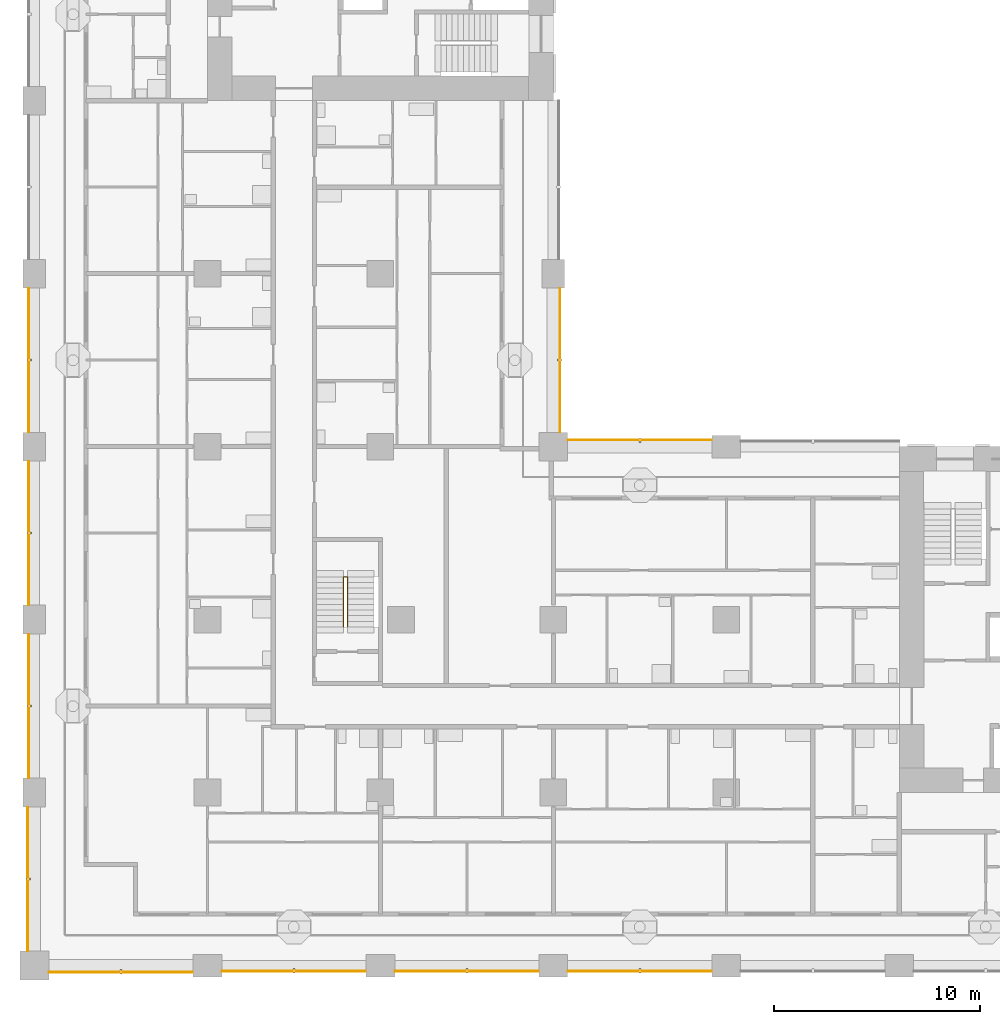
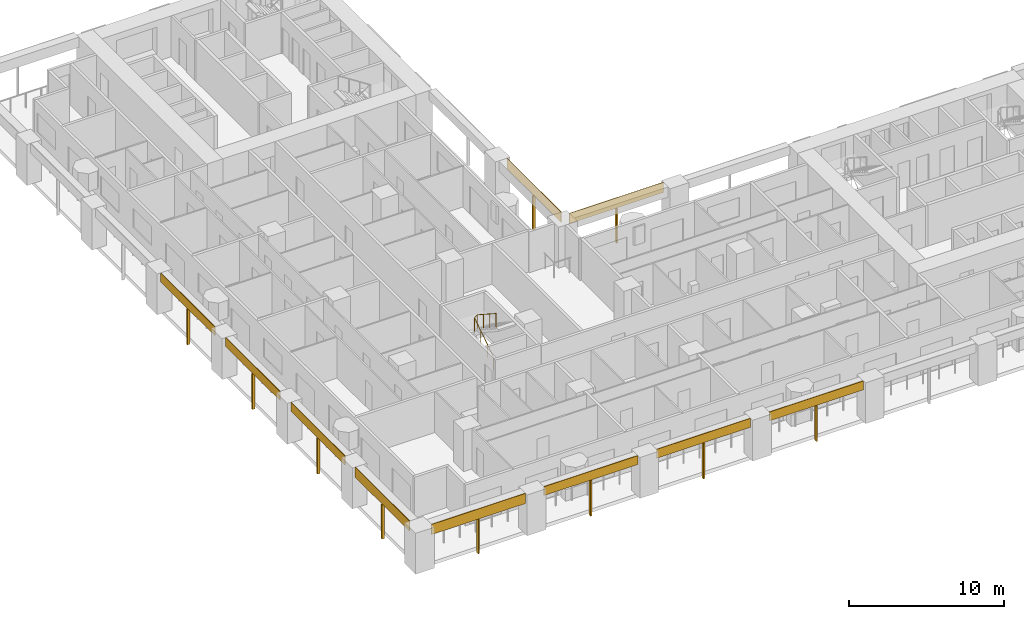
# One storey, part 12 of 22: 20 shading devices, 1 railing.
"""IFC4 building model written with IfcOpenShell, lengths in metres."""

from ifc_helpers import new_model, si_unit, direction, frame, origin, origin_2d, place, context, subcontext, project, spatial, rectangle, circle, extrude, material, layer, layer_set, material_profile, profile_set, type_object, element, save


model = new_model("IFC4")

# Units and contexts
model_context = context("Model", 3, precision=1e-05, world=origin(), true_north=direction((0.0, 1.0)))
body_context = subcontext(model_context, "Body", "Model", "MODEL_VIEW")
ifc_project = project(units=[si_unit("LENGTHUNIT", "METRE"), si_unit("AREAUNIT", "SQUARE_METRE"), si_unit("VOLUMEUNIT", "CUBIC_METRE"), si_unit("PLANEANGLEUNIT", "RADIAN"), si_unit("MASSUNIT", "GRAM", prefix="KILO")], contexts=[model_context])

# Site, building, storey
site_placement = place(None, origin())
site = spatial("IfcSite", under=ifc_project, at=site_placement, CompositionType="ELEMENT")
building_placement = place(site_placement, origin())
building = spatial("IfcBuilding", under=site, at=building_placement, Name="Vermilion Gate Residences", CompositionType="ELEMENT")
storey_placement = place(building_placement, frame((0.0, 0.0, 60.199951171875)))
storey = spatial("IfcBuildingStorey", under=building, at=storey_placement, Name="L14", CompositionType="ELEMENT", Elevation=60.199951171875)

# Shading devices
ifc_material_1 = material(Name="Perforated terracotta", Category="masonry")
ifc_layer = layer(ifc_material_1, 0.0400390625)
ifc_layer_set = layer_set([ifc_layer], Name="PERFORATED TERRACOTTA SCREEN 40")
shading_device_type_1 = type_object("IfcShadingDeviceType", Name="PERFORATED TERRACOTTA SCREEN 40", PredefinedType="SHUTTER", material=ifc_layer_set)
shading_device_1_placement = place(storey_placement, frame((4.199951171875, -0.320068359375, 2.419921875), z_axis=(0.0, 0.0, 1.0), x_axis=(1.0, 0.0, 0.0)))
element("IfcShadingDevice", 1, at=shading_device_1_placement, inside=storey, type_object=shading_device_type_1, Name="SCREEN", PredefinedType="SHUTTER", context=body_context, shape_type="SweptSolid", body=[
    extrude(rectangle(XDim=7.0, YDim=0.0400390625, at=origin_2d()), origin(), (0.0, 0.0, 1.0), 0.800048828125),
])
for number, where, z_axis, x_axis, name in (
    (2, (12.60009765625, -0.27001953125, 2.52001953125), (0.0, 0.0, 1.0), (1.0, 0.0, 0.0), "SCREEN"),
    (3, (21.0, -0.27001953125, 2.52001953125), (0.0, 0.0, 1.0), (1.0, 0.0, 0.0), "SCREEN"),
    (4, (29.39990234375, -0.27001953125, 2.52001953125), (0.0, 0.0, 1.0), (1.0, 0.0, 0.0), "SCREEN"),
):
    element("IfcShadingDevice", number, at=place(storey_placement, frame(where, z_axis=z_axis, x_axis=x_axis)), inside=storey, type_object=shading_device_type_1, Name=name, PredefinedType="SHUTTER", context=body_context, shape_type="SweptSolid", body=[
        extrude(rectangle(XDim=7.0, YDim=0.0400390625, at=origin_2d()), origin(), (0.0, 0.0, 1.0), 0.699951171875),
    ])
for number, where, z_axis, x_axis, name in (
    (5, (29.39990234375, 25.52001953125, 2.419921875), (0.0, 0.0, 1.0), (-1.0, 0.0, 0.0), "SCREEN"),
    (6, (25.52001953125, 29.39990234375, 2.419921875), (0.0, 0.0, 1.0), (0.0, 1.0, 0.0), "SCREEN"),
    (7, (-0.320068359375, 4.199951171875, 2.419921875), (0.0, 0.0, 1.0), (0.0, -1.0, 0.0), "SCREEN"),
):
    element("IfcShadingDevice", number, at=place(storey_placement, frame(where, z_axis=z_axis, x_axis=x_axis)), inside=storey, type_object=shading_device_type_1, Name=name, PredefinedType="SHUTTER", context=body_context, shape_type="SweptSolid", body=[
        extrude(rectangle(XDim=7.0, YDim=0.0400390625, at=origin_2d()), origin(), (0.0, 0.0, 1.0), 0.800048828125),
    ])
for number, where, z_axis, x_axis, name in (
    (8, (-0.27001953125, 12.60009765625, 2.52001953125), (0.0, 0.0, 1.0), (0.0, -1.0, 0.0), "SCREEN"),
    (9, (-0.27001953125, 21.0, 2.52001953125), (0.0, 0.0, 1.0), (0.0, -1.0, 0.0), "SCREEN"),
    (10, (-0.27001953125, 29.39990234375, 2.52001953125), (0.0, 0.0, 1.0), (0.0, -1.0, 0.0), "SCREEN"),
):
    element("IfcShadingDevice", number, at=place(storey_placement, frame(where, z_axis=z_axis, x_axis=x_axis)), inside=storey, type_object=shading_device_type_1, Name=name, PredefinedType="SHUTTER", context=body_context, shape_type="SweptSolid", body=[
        extrude(rectangle(XDim=7.0, YDim=0.0400390625, at=origin_2d()), origin(), (0.0, 0.0, 1.0), 0.699951171875),
    ])

# Railing
ifc_material_2 = material(Name="Steel S355", Category="steel")
railing_type = type_object("IfcRailingType", Name="STAIR GUARD 1100 STEEL", PredefinedType="GUARDRAIL", material=ifc_material_2)
railing_placement = place(storey_placement, frame((15.0, 16.449951171875, 0.175048828125)))
element("IfcRailing", 11, at=railing_placement, inside=storey, type_object=railing_type, Name="Stair well guard STC1-14", PredefinedType="GUARDRAIL", context=body_context, shape_type="SweptSolid", body=[
    extrude(circle(Radius=0.02392578125, at=origin_2d()), frame((0.0, 0.0, 1.076171875), z_axis=(0.0, 0.839153699163, 0.543894354798), x_axis=(-1.0, 0.0, 0.0)), (0.0, 0.0, 1.0), 2.895751953125),
    extrude(circle(Radius=0.02392578125, at=origin_2d()), frame((0.0, 2.429931640625, 2.65087890625), z_axis=(0.752405939678, 0.0, 0.658699705433), x_axis=(0.0, 1.0, 0.0)), (0.0, 0.0, 1.0), 0.265869140625),
    extrude(circle(Radius=0.02392578125, at=origin_2d()), frame((0.199951171875, 2.429931640625, 2.826171875), z_axis=(0.0, -0.839153699163, 0.543894354798), x_axis=(1.0, 0.0, 0.0)), (0.0, 0.0, 1.0), 2.895751953125),
    extrude(circle(Radius=0.02099609375, at=origin_2d()), origin(), (0.0, 0.0, 1.0), 1.052001953125),
    extrude(circle(Radius=0.02099609375, at=origin_2d()), frame((0.0, 0.81005859375, 0.52490234375)), (0.0, 0.0, 1.0), 1.052001953125),
    extrude(circle(Radius=0.02099609375, at=origin_2d()), frame((0.0, 1.619873046875, 1.050048828125)), (0.0, 0.0, 1.0), 1.052001953125),
    extrude(circle(Radius=0.02099609375, at=origin_2d()), frame((0.0, 2.429931640625, 1.574951171875)), (0.0, 0.0, 1.0), 1.052001953125),
    extrude(circle(Radius=0.02099609375, at=origin_2d()), frame((0.199951171875, 2.429931640625, 1.75)), (0.0, 0.0, 1.0), 1.052001953125),
    extrude(circle(Radius=0.02099609375, at=origin_2d()), frame((0.199951171875, 1.619873046875, 2.27490234375)), (0.0, 0.0, 1.0), 1.052001953125),
    extrude(circle(Radius=0.02099609375, at=origin_2d()), frame((0.199951171875, 0.81005859375, 2.800048828125)), (0.0, 0.0, 1.0), 1.052001953125),
    extrude(circle(Radius=0.02099609375, at=origin_2d()), frame((0.199951171875, 0.0, 3.324951171875)), (0.0, 0.0, 1.0), 1.052001953125),
])

# Shading devices
ifc_material_3 = material(Name="Extruded terracotta", Category="masonry")
ifc_material_profile = material_profile(ifc_material_3, rectangle(XDim=0.199951171875, YDim=0.10009765625, at=origin_2d()), Name="BAGUETTE 100 X 200")
ifc_profile_set = profile_set([ifc_material_profile], Name="Extruded terracotta")
shading_device_type_2 = type_object("IfcShadingDeviceType", Name="TERRACOTTA BAGUETTE 100 X 200", PredefinedType="JALOUSIE", material=ifc_profile_set)
shading_device_2_placement = place(storey_placement, frame((4.199951171875, -0.300048828125, -0.280029296875), z_axis=(0.0, 0.0, 1.0), x_axis=(0.0, 1.0, 0.0)))
element("IfcShadingDevice", 12, at=shading_device_2_placement, inside=storey, type_object=shading_device_type_2, Name="BAGUETTE", PredefinedType="JALOUSIE", context=body_context, shape_type="SweptSolid", body=[
    extrude(rectangle(XDim=0.199951171875, YDim=0.10009765625, at=origin_2d()), origin(), (0.0, 0.0, 1.0), 2.7001953125),
])
for number, where, z_axis, x_axis, name in (
    (13, (12.60009765625, -0.25, -0.280029296875), (0.0, 0.0, 1.0), (0.0, 1.0, 0.0), "BAGUETTE"),
    (14, (21.0, -0.25, -0.280029296875), (0.0, 0.0, 1.0), (0.0, 1.0, 0.0), "BAGUETTE"),
    (15, (29.39990234375, -0.25, -0.280029296875), (0.0, 0.0, 1.0), (0.0, 1.0, 0.0), "BAGUETTE"),
):
    element("IfcShadingDevice", number, at=place(storey_placement, frame(where, z_axis=z_axis, x_axis=x_axis)), inside=storey, type_object=shading_device_type_2, Name=name, PredefinedType="JALOUSIE", context=body_context, shape_type="SweptSolid", body=[
        extrude(rectangle(XDim=0.199951171875, YDim=0.10009765625, at=origin_2d()), origin(), (0.0, 0.0, 1.0), 2.800048828125),
    ])
for number, where, z_axis, x_axis, name in (
    (16, (29.39990234375, 25.5, -0.280029296875), (0.0, 0.0, 1.0), (0.0, -1.0, 0.0), "BAGUETTE"),
    (17, (25.5, 29.39990234375, -0.280029296875), (0.0, 0.0, 1.0), (-1.0, 0.0, 0.0), "BAGUETTE"),
    (18, (-0.300048828125, 4.199951171875, -0.280029296875), (0.0, 0.0, 1.0), (1.0, 0.0, 0.0), "BAGUETTE"),
):
    element("IfcShadingDevice", number, at=place(storey_placement, frame(where, z_axis=z_axis, x_axis=x_axis)), inside=storey, type_object=shading_device_type_2, Name=name, PredefinedType="JALOUSIE", context=body_context, shape_type="SweptSolid", body=[
        extrude(rectangle(XDim=0.199951171875, YDim=0.10009765625, at=origin_2d()), origin(), (0.0, 0.0, 1.0), 2.7001953125),
    ])
for number, where, z_axis, x_axis, name in (
    (19, (-0.25, 12.60009765625, -0.280029296875), (0.0, 0.0, 1.0), (1.0, 0.0, 0.0), "BAGUETTE"),
    (20, (-0.25, 21.0, -0.280029296875), (0.0, 0.0, 1.0), (1.0, 0.0, 0.0), "BAGUETTE"),
    (21, (-0.25, 29.39990234375, -0.280029296875), (0.0, 0.0, 1.0), (1.0, 0.0, 0.0), "BAGUETTE"),
):
    element("IfcShadingDevice", number, at=place(storey_placement, frame(where, z_axis=z_axis, x_axis=x_axis)), inside=storey, type_object=shading_device_type_2, Name=name, PredefinedType="JALOUSIE", context=body_context, shape_type="SweptSolid", body=[
        extrude(rectangle(XDim=0.199951171875, YDim=0.10009765625, at=origin_2d()), origin(), (0.0, 0.0, 1.0), 2.800048828125),
    ])

save(model, "model.ifc")
